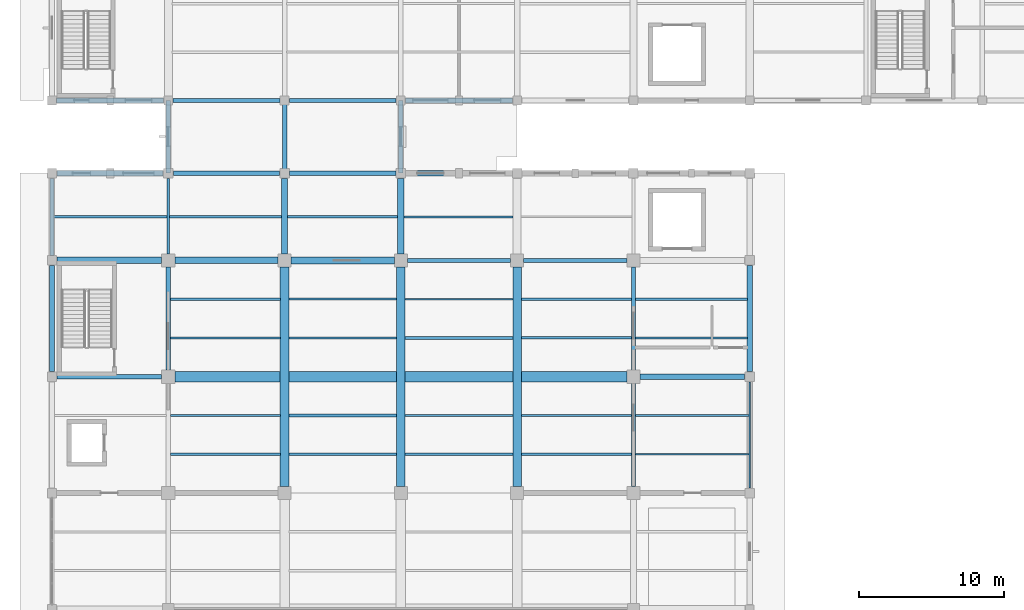
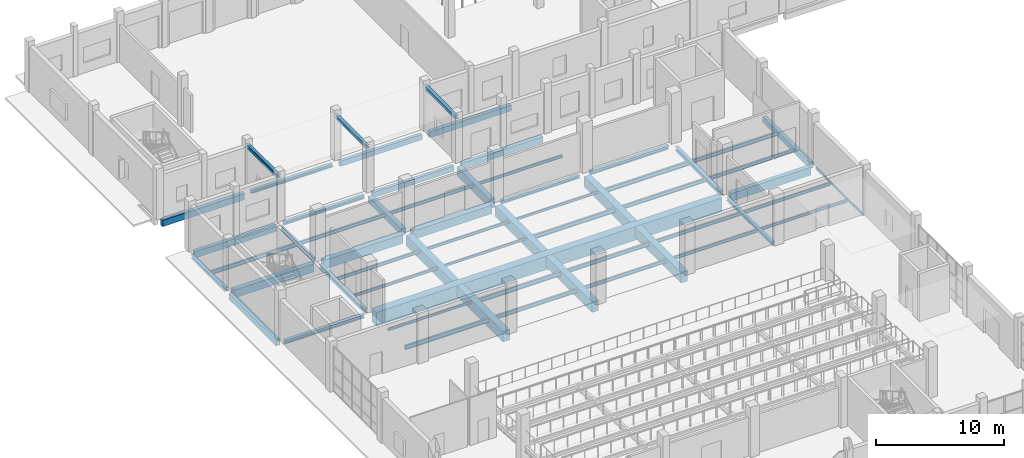
# One storey, part 50 of 156: 56 beams.
"""IFC4 building model written with IfcOpenShell, lengths in metres."""

from ifc_helpers import new_model, si_unit, direction, frame, origin, origin_2d, place, context, subcontext, project, spatial, rectangle, hollow_rectangle, i_section, extrude, material, material_profile, profile_set, type_object, element, save


model = new_model("IFC4")

# Units and contexts
model_context = context("Model", 3, precision=1e-05, world=origin(), true_north=direction((0.0, 1.0)))
body_context = subcontext(model_context, "Body", "Model", "MODEL_VIEW")
ifc_project = project(units=[si_unit("LENGTHUNIT", "METRE"), si_unit("AREAUNIT", "SQUARE_METRE"), si_unit("VOLUMEUNIT", "CUBIC_METRE"), si_unit("PLANEANGLEUNIT", "RADIAN"), si_unit("MASSUNIT", "GRAM", prefix="KILO")], contexts=[model_context])

# Site, building, storey
site_placement = place(None, origin())
site = spatial("IfcSite", under=ifc_project, at=site_placement, CompositionType="ELEMENT")
building_placement = place(site_placement, origin())
building = spatial("IfcBuilding", under=site, at=building_placement, Name="Luwemba Playhouse", CompositionType="ELEMENT")
storey_placement = place(building_placement, origin())
storey = spatial("IfcBuildingStorey", under=building, at=storey_placement, Name="L00", CompositionType="ELEMENT", Elevation=0.0)

# Beams
ifc_material_1 = material(Name="Concrete C40/50", Category="concrete")
ifc_material_profile_1 = material_profile(ifc_material_1, rectangle(XDim=0.39990234375, YDim=0.60009765625, at=origin_2d()))
ifc_profile_set_1 = profile_set([ifc_material_profile_1], Name="Concrete C40/50")
beam_type_1 = type_object("IfcBeamType", Name="BM-RB01", PredefinedType="BEAM", material=ifc_profile_set_1)
beam_1_placement = place(storey_placement, frame((20.0, 84.449951171875, -0.60009765625), z_axis=(0.0, 1.0, 0.0), x_axis=(-1.0, 0.0, 0.0)))
element("IfcBeam", 1, at=beam_1_placement, inside=storey, type_object=beam_type_1, Name="L00 transverse girder 0063", PredefinedType="BEAM", context=body_context, shape_type="SweptSolid", body=[
    extrude(rectangle(XDim=0.39990234375, YDim=0.60009765625, at=origin_2d()), origin(), (0.0, 0.0, 1.0), 5.199951171875),
])
ifc_material_profile_2 = material_profile(ifc_material_1, rectangle(XDim=0.39990234375, YDim=0.75, at=origin_2d()))
ifc_profile_set_2 = profile_set([ifc_material_profile_2], Name="Concrete C40/50")
beam_type_2 = type_object("IfcBeamType", Name="BM-RB03", PredefinedType="BEAM", material=ifc_profile_set_2)
beam_2_placement = place(storey_placement, frame((44.449951171875, 76.0, -0.675048828125), z_axis=(1.0, 0.0, 0.0), x_axis=(0.0, 1.0, 0.0)))
element("IfcBeam", 2, at=beam_2_placement, inside=storey, type_object=beam_type_2, Name="L00 grid girder 0043", PredefinedType="BEAM", context=body_context, shape_type="SweptSolid", body=[
    extrude(rectangle(XDim=0.39990234375, YDim=0.75, at=origin_2d()), origin(), (0.0, 0.0, 1.0), 7.199951171875),
])
ifc_material_profile_3 = material_profile(ifc_material_1, rectangle(XDim=0.449951171875, YDim=0.75, at=origin_2d()))
ifc_profile_set_3 = profile_set([ifc_material_profile_3], Name="Concrete C40/50")
beam_type_3 = type_object("IfcBeamType", Name="BM-RB04", PredefinedType="BEAM", material=ifc_profile_set_3)
beam_3_placement = place(storey_placement, frame((4.35009765625, 84.0, -0.675048828125), z_axis=(1.0, 0.0, 0.0), x_axis=(0.0, 1.0, 0.0)))
element("IfcBeam", 3, at=beam_3_placement, inside=storey, type_object=beam_type_3, Name="L00 grid girder 0044", PredefinedType="BEAM", context=body_context, shape_type="SweptSolid", body=[
    extrude(rectangle(XDim=0.449951171875, YDim=0.75, at=origin_2d()), origin(), (0.0, 0.0, 1.0), 7.199951171875),
])
ifc_material_profile_4 = material_profile(ifc_material_1, rectangle(XDim=0.449951171875, YDim=0.85009765625, at=origin_2d()))
ifc_profile_set_4 = profile_set([ifc_material_profile_4], Name="Concrete C40/50")
beam_type_4 = type_object("IfcBeamType", Name="BM-RB05", PredefinedType="BEAM", material=ifc_profile_set_4)
beam_4_placement = place(storey_placement, frame((12.449951171875, 84.0, -0.72509765625), z_axis=(1.0, 0.0, 0.0), x_axis=(0.0, 1.0, 0.0)))
element("IfcBeam", 4, at=beam_4_placement, inside=storey, type_object=beam_type_4, Name="L00 grid girder 0045", PredefinedType="BEAM", context=body_context, shape_type="SweptSolid", body=[
    extrude(rectangle(XDim=0.449951171875, YDim=0.85009765625, at=origin_2d()), origin(), (0.0, 0.0, 1.0), 7.10009765625),
])
beam_5_placement = place(storey_placement, frame((28.0, 84.449951171875, -0.72509765625), z_axis=(0.0, 1.0, 0.0), x_axis=(-1.0, 0.0, 0.0)))
element("IfcBeam", 5, at=beam_5_placement, inside=storey, type_object=beam_type_4, Name="L00 transverse girder 0065", PredefinedType="BEAM", context=body_context, shape_type="SweptSolid", body=[
    extrude(rectangle(XDim=0.449951171875, YDim=0.85009765625, at=origin_2d()), origin(), (0.0, 0.0, 1.0), 5.199951171875),
])
ifc_material_profile_5 = material_profile(ifc_material_1, rectangle(XDim=0.5, YDim=0.800048828125, at=origin_2d()))
ifc_profile_set_5 = profile_set([ifc_material_profile_5], Name="Concrete C40/50")
beam_type_5 = type_object("IfcBeamType", Name="BM-RB06", PredefinedType="BEAM", material=ifc_profile_set_5)
beam_6_placement = place(storey_placement, frame((20.449951171875, 84.0, -0.699951171875), z_axis=(1.0, 0.0, 0.0), x_axis=(0.0, 1.0, 0.0)))
element("IfcBeam", 6, at=beam_6_placement, inside=storey, type_object=beam_type_5, Name="L00 grid girder 0046", PredefinedType="BEAM", context=body_context, shape_type="SweptSolid", body=[
    extrude(rectangle(XDim=0.5, YDim=0.800048828125, at=origin_2d()), origin(), (0.0, 0.0, 1.0), 7.10009765625),
])
ifc_material_profile_6 = material_profile(ifc_material_1, rectangle(XDim=0.60009765625, YDim=1.0, at=origin_2d()))
ifc_profile_set_6 = profile_set([ifc_material_profile_6], Name="Concrete C40/50")
beam_type_6 = type_object("IfcBeamType", Name="BM-RB09", PredefinedType="BEAM", material=ifc_profile_set_6)
for number, where, z_axis, x_axis, name in (
    (7, (20.0, 68.449951171875, -0.800048828125), (0.0, 1.0, 0.0), (-1.0, 0.0, 0.0), "L00 transverse girder 0062"),
    (8, (28.0, 68.449951171875, -0.800048828125), (0.0, 1.0, 0.0), (-1.0, 0.0, 0.0), "L00 transverse girder 0064"),
    (9, (36.0, 68.449951171875, -0.800048828125), (0.0, 1.0, 0.0), (-1.0, 0.0, 0.0), "L00 transverse girder 0066"),
):
    element("IfcBeam", number, at=place(storey_placement, frame(where, z_axis=z_axis, x_axis=x_axis)), inside=storey, type_object=beam_type_6, Name=name, PredefinedType="BEAM", context=body_context, shape_type="SweptSolid", body=[
        extrude(rectangle(XDim=0.60009765625, YDim=1.0, at=origin_2d()), origin(), (0.0, 0.0, 1.0), 15.10009765625),
    ])
ifc_material_profile_7 = material_profile(ifc_material_1, rectangle(XDim=0.699951171875, YDim=1.300048828125, at=origin_2d()))
ifc_profile_set_7 = profile_set([ifc_material_profile_7], Name="Concrete C40/50")
beam_type_7 = type_object("IfcBeamType", Name="BM-RB12", PredefinedType="BEAM", material=ifc_profile_set_7)
beam_7_placement = place(storey_placement, frame((12.449951171875, 76.0, -0.949951171875), z_axis=(1.0, 0.0, 0.0), x_axis=(0.0, 1.0, 0.0)))
element("IfcBeam", 10, at=beam_7_placement, inside=storey, type_object=beam_type_7, Name="L00 grid girder 0042", PredefinedType="BEAM", context=body_context, shape_type="SweptSolid", body=[
    extrude(rectangle(XDim=0.699951171875, YDim=1.300048828125, at=origin_2d()), origin(), (0.0, 0.0, 1.0), 31.10009765625),
])
ifc_material_2 = material(Name="Steel S355", Category="steel")
ifc_material_profile_8 = material_profile(ifc_material_2, i_section(OverallWidth=0.280029296875, OverallDepth=0.27001953125, WebThickness=0.008056640625, FlangeThickness=0.012939453125, FilletRadius=0.02392578125, at=origin_2d()))
ifc_profile_set_8 = profile_set([ifc_material_profile_8], Name="Steel S355")
beam_type_8 = type_object("IfcBeamType", Name="BM-SB02", PredefinedType="BEAM", material=ifc_profile_set_8)
beam_8_placement = place(storey_placement, frame((44.0, 68.449951171875, -0.43505859375), z_axis=(0.0, 1.0, 0.0), x_axis=(-1.0, 0.0, 0.0)))
element("IfcBeam", 11, at=beam_8_placement, inside=storey, type_object=beam_type_8, Name="L00 transverse girder 0068", PredefinedType="BEAM", context=body_context, shape_type="SweptSolid", body=[
    extrude(i_section(OverallWidth=0.280029296875, OverallDepth=0.27001953125, WebThickness=0.008056640625, FlangeThickness=0.012939453125, FilletRadius=0.02392578125, at=origin_2d()), origin(), (0.0, 0.0, 1.0), 7.10009765625),
])
ifc_material_profile_9 = material_profile(ifc_material_2, i_section(OverallWidth=0.300048828125, OverallDepth=0.2900390625, WebThickness=0.008544921875, FlangeThickness=0.013916015625, FilletRadius=0.027099609375, at=origin_2d()))
ifc_profile_set_9 = profile_set([ifc_material_profile_9], Name="Steel S355")
beam_type_9 = type_object("IfcBeamType", Name="BM-SB03", PredefinedType="BEAM", material=ifc_profile_set_9)
for number, where, z_axis, x_axis, name in (
    (12, (12.0, 90.0, 4.10498046875), (0.0, 1.0, 0.0), (-1.0, 0.0, 0.0), "Scene Dock link roof beam 12"),
    (13, (20.0, 90.0, 4.10498046875), (0.0, 1.0, 0.0), (-1.0, 0.0, 0.0), "Scene Dock link roof beam 20"),
    (14, (28.0, 90.0, 4.10498046875), (0.0, 1.0, 0.0), (-1.0, 0.0, 0.0), "Scene Dock link roof beam 28"),
):
    element("IfcBeam", number, at=place(storey_placement, frame(where, z_axis=z_axis, x_axis=x_axis)), inside=storey, type_object=beam_type_9, Name=name, PredefinedType="BEAM", context=body_context, shape_type="SweptSolid", body=[
        extrude(i_section(OverallWidth=0.300048828125, OverallDepth=0.2900390625, WebThickness=0.008544921875, FlangeThickness=0.013916015625, FilletRadius=0.027099609375, at=origin_2d()), origin(), (0.0, 0.0, 1.0), 5.0),
    ])
beam_9_placement = place(storey_placement, frame((28.449951171875, 84.0, -0.445068359375), z_axis=(1.0, 0.0, 0.0), x_axis=(0.0, 1.0, 0.0)))
element("IfcBeam", 15, at=beam_9_placement, inside=storey, type_object=beam_type_9, Name="L00 grid girder 0047", PredefinedType="BEAM", context=body_context, shape_type="SweptSolid", body=[
    extrude(i_section(OverallWidth=0.300048828125, OverallDepth=0.2900390625, WebThickness=0.008544921875, FlangeThickness=0.013916015625, FilletRadius=0.027099609375, at=origin_2d()), origin(), (0.0, 0.0, 1.0), 7.10009765625),
])
ifc_material_profile_10 = material_profile(ifc_material_2, i_section(OverallWidth=0.300048828125, OverallDepth=0.330078125, WebThickness=0.009521484375, FlangeThickness=0.0166015625, FilletRadius=0.027099609375, at=origin_2d()))
ifc_profile_set_10 = profile_set([ifc_material_profile_10], Name="Steel S355")
beam_type_10 = type_object("IfcBeamType", Name="BM-SB04", PredefinedType="BEAM", material=ifc_profile_set_10)
beam_10_placement = place(storey_placement, frame((4.35009765625, 76.0, -0.465087890625), z_axis=(1.0, 0.0, 0.0), x_axis=(0.0, 1.0, 0.0)))
element("IfcBeam", 16, at=beam_10_placement, inside=storey, type_object=beam_type_10, Name="L00 grid girder 0041", PredefinedType="BEAM", context=body_context, shape_type="SweptSolid", body=[
    extrude(i_section(OverallWidth=0.300048828125, OverallDepth=0.330078125, WebThickness=0.009521484375, FlangeThickness=0.0166015625, FilletRadius=0.027099609375, at=origin_2d()), origin(), (0.0, 0.0, 1.0), 7.199951171875),
])
beam_11_placement = place(storey_placement, frame((36.449951171875, 84.0, -0.465087890625), z_axis=(1.0, 0.0, 0.0), x_axis=(0.0, 1.0, 0.0)))
element("IfcBeam", 17, at=beam_11_placement, inside=storey, type_object=beam_type_10, Name="L00 grid girder 0048", PredefinedType="BEAM", context=body_context, shape_type="SweptSolid", body=[
    extrude(i_section(OverallWidth=0.300048828125, OverallDepth=0.330078125, WebThickness=0.009521484375, FlangeThickness=0.0166015625, FilletRadius=0.027099609375, at=origin_2d()), origin(), (0.0, 0.0, 1.0), 7.10009765625),
])
ifc_material_profile_11 = material_profile(ifc_material_2, i_section(OverallWidth=0.300048828125, OverallDepth=0.389892578125, WebThickness=0.010986328125, FlangeThickness=0.01904296875, FilletRadius=0.027099609375, at=origin_2d()))
ifc_profile_set_11 = profile_set([ifc_material_profile_11], Name="Steel S355")
beam_type_11 = type_object("IfcBeamType", Name="BM-SB05", PredefinedType="BEAM", material=ifc_profile_set_11)
for number, where, z_axis, x_axis, name in (
    (18, (12.0, 76.449951171875, -0.4951171875), (0.0, 1.0, 0.0), (-1.0, 0.0, 0.0), "L00 transverse girder 0060"),
    (19, (44.0, 76.449951171875, -0.4951171875), (0.0, 1.0, 0.0), (-1.0, 0.0, 0.0), "L00 transverse girder 0069"),
):
    element("IfcBeam", number, at=place(storey_placement, frame(where, z_axis=z_axis, x_axis=x_axis)), inside=storey, type_object=beam_type_11, Name=name, PredefinedType="BEAM", context=body_context, shape_type="SweptSolid", body=[
        extrude(i_section(OverallWidth=0.300048828125, OverallDepth=0.389892578125, WebThickness=0.010986328125, FlangeThickness=0.01904296875, FilletRadius=0.027099609375, at=origin_2d()), origin(), (0.0, 0.0, 1.0), 7.10009765625),
    ])
ifc_material_profile_12 = material_profile(ifc_material_2, i_section(OverallWidth=0.18994140625, OverallDepth=0.449951171875, WebThickness=0.009521484375, FlangeThickness=0.0146484375, FilletRadius=0.02099609375, at=origin_2d()))
ifc_profile_set_12 = profile_set([ifc_material_profile_12], Name="Steel S355")
beam_type_12 = type_object("IfcBeamType", Name="BM-SB06", PredefinedType="BEAM", material=ifc_profile_set_12)
beam_12_placement = place(storey_placement, frame((12.0, 84.449951171875, -0.52490234375), z_axis=(0.0, 1.0, 0.0), x_axis=(-1.0, 0.0, 0.0)))
element("IfcBeam", 20, at=beam_12_placement, inside=storey, type_object=beam_type_12, Name="L00 transverse girder 0061", PredefinedType="BEAM", context=body_context, shape_type="SweptSolid", body=[
    extrude(i_section(OverallWidth=0.18994140625, OverallDepth=0.449951171875, WebThickness=0.009521484375, FlangeThickness=0.0146484375, FilletRadius=0.02099609375, at=origin_2d()), origin(), (0.0, 0.0, 1.0), 5.199951171875),
])
ifc_material_profile_13 = material_profile(ifc_material_2, i_section(OverallWidth=0.1201171875, OverallDepth=0.239990234375, WebThickness=0.006103515625, FlangeThickness=0.009765625, FilletRadius=0.014892578125, at=origin_2d()))
ifc_profile_set_13 = profile_set([ifc_material_profile_13], Name="Steel S355")
beam_type_13 = type_object("IfcBeamType", Name="BM-SJ03", PredefinedType="JOIST", material=ifc_profile_set_13)
beam_13_placement = place(storey_placement, frame((12.135986328125, 73.333251953125, -0.419921875), z_axis=(1.0, 0.0, 0.0), x_axis=(0.0, 1.0, 0.0)))
element("IfcBeam", 21, at=beam_13_placement, inside=storey, type_object=beam_type_13, Name="L00 composite floor joist 0047", PredefinedType="JOIST", context=body_context, shape_type="SweptSolid", body=[
    extrude(i_section(OverallWidth=0.1201171875, OverallDepth=0.239990234375, WebThickness=0.006103515625, FlangeThickness=0.009765625, FilletRadius=0.014892578125, at=origin_2d()), origin(), (0.0, 0.0, 1.0), 7.568115234375),
])
for number, where, z_axis, x_axis, name in (
    (22, (20.2958984375, 78.666748046875, -0.419921875), (1.0, 0.0, 0.0), (0.0, 1.0, 0.0), "L00 composite floor joist 0053"),
    (23, (28.2958984375, 81.333251953125, -0.419921875), (1.0, 0.0, 0.0), (0.0, 1.0, 0.0), "L00 composite floor joist 0059"),
):
    element("IfcBeam", number, at=place(storey_placement, frame(where, z_axis=z_axis, x_axis=x_axis)), inside=storey, type_object=beam_type_13, Name=name, PredefinedType="JOIST", context=body_context, shape_type="SweptSolid", body=[
        extrude(i_section(OverallWidth=0.1201171875, OverallDepth=0.239990234375, WebThickness=0.006103515625, FlangeThickness=0.009765625, FilletRadius=0.014892578125, at=origin_2d()), origin(), (0.0, 0.0, 1.0), 7.408203125),
    ])
ifc_material_profile_14 = material_profile(ifc_material_2, i_section(OverallWidth=0.135009765625, OverallDepth=0.27001953125, WebThickness=0.006591796875, FlangeThickness=0.01025390625, FilletRadius=0.014892578125, at=origin_2d()))
ifc_profile_set_14 = profile_set([ifc_material_profile_14], Name="Steel S355")
beam_type_14 = type_object("IfcBeamType", Name="BM-SJ04", PredefinedType="JOIST", material=ifc_profile_set_14)
beam_14_placement = place(storey_placement, frame((12.14599609375, 78.666748046875, -0.43505859375), z_axis=(1.0, 0.0, 0.0), x_axis=(0.0, 1.0, 0.0)))
element("IfcBeam", 24, at=beam_14_placement, inside=storey, type_object=beam_type_14, Name="L00 composite floor joist 0048", PredefinedType="JOIST", context=body_context, shape_type="SweptSolid", body=[
    extrude(i_section(OverallWidth=0.135009765625, OverallDepth=0.27001953125, WebThickness=0.006591796875, FlangeThickness=0.01025390625, FilletRadius=0.014892578125, at=origin_2d()), origin(), (0.0, 0.0, 1.0), 7.55810546875),
])
beam_15_placement = place(storey_placement, frame((20.2958984375, 81.333251953125, -0.43505859375), z_axis=(1.0, 0.0, 0.0), x_axis=(0.0, 1.0, 0.0)))
element("IfcBeam", 25, at=beam_15_placement, inside=storey, type_object=beam_type_14, Name="L00 composite floor joist 0054", PredefinedType="JOIST", context=body_context, shape_type="SweptSolid", body=[
    extrude(i_section(OverallWidth=0.135009765625, OverallDepth=0.27001953125, WebThickness=0.006591796875, FlangeThickness=0.01025390625, FilletRadius=0.014892578125, at=origin_2d()), origin(), (0.0, 0.0, 1.0), 7.408203125),
])
beam_16_placement = place(storey_placement, frame((28.220947265625, 87.0, -0.43505859375), z_axis=(1.0, 0.0, 0.0), x_axis=(0.0, 1.0, 0.0)))
element("IfcBeam", 26, at=beam_16_placement, inside=storey, type_object=beam_type_14, Name="L00 composite floor joist 0060", PredefinedType="JOIST", context=body_context, shape_type="SweptSolid", body=[
    extrude(i_section(OverallWidth=0.135009765625, OverallDepth=0.27001953125, WebThickness=0.006591796875, FlangeThickness=0.01025390625, FilletRadius=0.014892578125, at=origin_2d()), origin(), (0.0, 0.0, 1.0), 7.508056640625),
])
beam_17_placement = place(storey_placement, frame((44.135986328125, 70.666748046875, -0.43505859375), z_axis=(1.0, 0.0, 0.0), x_axis=(0.0, 1.0, 0.0)))
element("IfcBeam", 27, at=beam_17_placement, inside=storey, type_object=beam_type_14, Name="L00 composite floor joist 0066", PredefinedType="JOIST", context=body_context, shape_type="SweptSolid", body=[
    extrude(i_section(OverallWidth=0.135009765625, OverallDepth=0.27001953125, WebThickness=0.006591796875, FlangeThickness=0.01025390625, FilletRadius=0.014892578125, at=origin_2d()), origin(), (0.0, 0.0, 1.0), 7.818115234375),
])
ifc_material_profile_15 = material_profile(ifc_material_2, i_section(OverallWidth=0.14990234375, OverallDepth=0.300048828125, WebThickness=0.007080078125, FlangeThickness=0.0107421875, FilletRadius=0.014892578125, at=origin_2d()))
ifc_profile_set_15 = profile_set([ifc_material_profile_15], Name="Steel S355")
beam_type_15 = type_object("IfcBeamType", Name="BM-SJ05", PredefinedType="JOIST", material=ifc_profile_set_15)
beam_18_placement = place(storey_placement, frame((12.14599609375, 81.333251953125, -0.449951171875), z_axis=(1.0, 0.0, 0.0), x_axis=(0.0, 1.0, 0.0)))
element("IfcBeam", 28, at=beam_18_placement, inside=storey, type_object=beam_type_15, Name="L00 composite floor joist 0049", PredefinedType="JOIST", context=body_context, shape_type="SweptSolid", body=[
    extrude(i_section(OverallWidth=0.14990234375, OverallDepth=0.300048828125, WebThickness=0.007080078125, FlangeThickness=0.0107421875, FilletRadius=0.014892578125, at=origin_2d()), origin(), (0.0, 0.0, 1.0), 7.55810546875),
])
beam_19_placement = place(storey_placement, frame((20.196044921875, 87.0, -0.449951171875), z_axis=(1.0, 0.0, 0.0), x_axis=(0.0, 1.0, 0.0)))
element("IfcBeam", 29, at=beam_19_placement, inside=storey, type_object=beam_type_15, Name="L00 composite floor joist 0055", PredefinedType="JOIST", context=body_context, shape_type="SweptSolid", body=[
    extrude(i_section(OverallWidth=0.14990234375, OverallDepth=0.300048828125, WebThickness=0.007080078125, FlangeThickness=0.0107421875, FilletRadius=0.014892578125, at=origin_2d()), origin(), (0.0, 0.0, 1.0), 7.5830078125),
])
beam_20_placement = place(storey_placement, frame((36.2958984375, 70.666748046875, -0.449951171875), z_axis=(1.0, 0.0, 0.0), x_axis=(0.0, 1.0, 0.0)))
element("IfcBeam", 30, at=beam_20_placement, inside=storey, type_object=beam_type_15, Name="L00 composite floor joist 0061", PredefinedType="JOIST", context=body_context, shape_type="SweptSolid", body=[
    extrude(i_section(OverallWidth=0.14990234375, OverallDepth=0.300048828125, WebThickness=0.007080078125, FlangeThickness=0.0107421875, FilletRadius=0.014892578125, at=origin_2d()), origin(), (0.0, 0.0, 1.0), 7.568115234375),
])
beam_21_placement = place(storey_placement, frame((44.135986328125, 73.333251953125, -0.449951171875), z_axis=(1.0, 0.0, 0.0), x_axis=(0.0, 1.0, 0.0)))
element("IfcBeam", 31, at=beam_21_placement, inside=storey, type_object=beam_type_15, Name="L00 composite floor joist 0067", PredefinedType="JOIST", context=body_context, shape_type="SweptSolid", body=[
    extrude(i_section(OverallWidth=0.14990234375, OverallDepth=0.300048828125, WebThickness=0.007080078125, FlangeThickness=0.0107421875, FilletRadius=0.014892578125, at=origin_2d()), origin(), (0.0, 0.0, 1.0), 7.818115234375),
])
ifc_material_profile_16 = material_profile(ifc_material_2, i_section(OverallWidth=0.159912109375, OverallDepth=0.330078125, WebThickness=0.007568359375, FlangeThickness=0.011474609375, FilletRadius=0.01806640625, at=origin_2d()))
ifc_profile_set_16 = profile_set([ifc_material_profile_16], Name="Steel S355")
beam_type_16 = type_object("IfcBeamType", Name="BM-SJ06", PredefinedType="JOIST", material=ifc_profile_set_16)
beam_22_placement = place(storey_placement, frame((12.091064453125, 87.0, -0.465087890625), z_axis=(1.0, 0.0, 0.0), x_axis=(0.0, 1.0, 0.0)))
element("IfcBeam", 32, at=beam_22_placement, inside=storey, type_object=beam_type_16, Name="L00 composite floor joist 0050", PredefinedType="JOIST", context=body_context, shape_type="SweptSolid", body=[
    extrude(i_section(OverallWidth=0.159912109375, OverallDepth=0.330078125, WebThickness=0.007568359375, FlangeThickness=0.011474609375, FilletRadius=0.01806640625, at=origin_2d()), origin(), (0.0, 0.0, 1.0), 7.712890625),
])
beam_23_placement = place(storey_placement, frame((28.2958984375, 70.666748046875, -0.465087890625), z_axis=(1.0, 0.0, 0.0), x_axis=(0.0, 1.0, 0.0)))
element("IfcBeam", 33, at=beam_23_placement, inside=storey, type_object=beam_type_16, Name="L00 composite floor joist 0056", PredefinedType="JOIST", context=body_context, shape_type="SweptSolid", body=[
    extrude(i_section(OverallWidth=0.159912109375, OverallDepth=0.330078125, WebThickness=0.007568359375, FlangeThickness=0.011474609375, FilletRadius=0.01806640625, at=origin_2d()), origin(), (0.0, 0.0, 1.0), 7.408203125),
])
beam_24_placement = place(storey_placement, frame((36.2958984375, 73.333251953125, -0.465087890625), z_axis=(1.0, 0.0, 0.0), x_axis=(0.0, 1.0, 0.0)))
element("IfcBeam", 34, at=beam_24_placement, inside=storey, type_object=beam_type_16, Name="L00 composite floor joist 0062", PredefinedType="JOIST", context=body_context, shape_type="SweptSolid", body=[
    extrude(i_section(OverallWidth=0.159912109375, OverallDepth=0.330078125, WebThickness=0.007568359375, FlangeThickness=0.011474609375, FilletRadius=0.01806640625, at=origin_2d()), origin(), (0.0, 0.0, 1.0), 7.568115234375),
])
beam_25_placement = place(storey_placement, frame((44.14599609375, 78.666748046875, -0.465087890625), z_axis=(1.0, 0.0, 0.0), x_axis=(0.0, 1.0, 0.0)))
element("IfcBeam", 35, at=beam_25_placement, inside=storey, type_object=beam_type_16, Name="L00 composite floor joist 0068", PredefinedType="JOIST", context=body_context, shape_type="SweptSolid", body=[
    extrude(i_section(OverallWidth=0.159912109375, OverallDepth=0.330078125, WebThickness=0.007568359375, FlangeThickness=0.011474609375, FilletRadius=0.01806640625, at=origin_2d()), origin(), (0.0, 0.0, 1.0), 7.68310546875),
])
ifc_material_profile_17 = material_profile(ifc_material_2, i_section(OverallWidth=0.169921875, OverallDepth=0.360107421875, WebThickness=0.008056640625, FlangeThickness=0.0126953125, FilletRadius=0.01806640625, at=origin_2d()))
ifc_profile_set_17 = profile_set([ifc_material_profile_17], Name="Steel S355")
beam_type_17 = type_object("IfcBeamType", Name="BM-SJ07", PredefinedType="JOIST", material=ifc_profile_set_17)
beam_26_placement = place(storey_placement, frame((4.14599609375, 87.0, -0.47998046875), z_axis=(1.0, 0.0, 0.0), x_axis=(0.0, 1.0, 0.0)))
element("IfcBeam", 36, at=beam_26_placement, inside=storey, type_object=beam_type_17, Name="L00 composite floor joist 0045", PredefinedType="JOIST", context=body_context, shape_type="SweptSolid", body=[
    extrude(i_section(OverallWidth=0.169921875, OverallDepth=0.360107421875, WebThickness=0.008056640625, FlangeThickness=0.0126953125, FilletRadius=0.01806640625, at=origin_2d()), origin(), (0.0, 0.0, 1.0), 7.762939453125),
])
for number, where, z_axis, x_axis, name in (
    (37, (20.2958984375, 70.666748046875, -0.47998046875), (1.0, 0.0, 0.0), (0.0, 1.0, 0.0), "L00 composite floor joist 0051"),
    (38, (28.2958984375, 73.333251953125, -0.47998046875), (1.0, 0.0, 0.0), (0.0, 1.0, 0.0), "L00 composite floor joist 0057"),
):
    element("IfcBeam", number, at=place(storey_placement, frame(where, z_axis=z_axis, x_axis=x_axis)), inside=storey, type_object=beam_type_17, Name=name, PredefinedType="JOIST", context=body_context, shape_type="SweptSolid", body=[
        extrude(i_section(OverallWidth=0.169921875, OverallDepth=0.360107421875, WebThickness=0.008056640625, FlangeThickness=0.0126953125, FilletRadius=0.01806640625, at=origin_2d()), origin(), (0.0, 0.0, 1.0), 7.408203125),
    ])
beam_27_placement = place(storey_placement, frame((36.2958984375, 78.666748046875, -0.47998046875), z_axis=(1.0, 0.0, 0.0), x_axis=(0.0, 1.0, 0.0)))
element("IfcBeam", 39, at=beam_27_placement, inside=storey, type_object=beam_type_17, Name="L00 composite floor joist 0063", PredefinedType="JOIST", context=body_context, shape_type="SweptSolid", body=[
    extrude(i_section(OverallWidth=0.169921875, OverallDepth=0.360107421875, WebThickness=0.008056640625, FlangeThickness=0.0126953125, FilletRadius=0.01806640625, at=origin_2d()), origin(), (0.0, 0.0, 1.0), 7.55810546875),
])
beam_28_placement = place(storey_placement, frame((44.14599609375, 81.333251953125, -0.47998046875), z_axis=(1.0, 0.0, 0.0), x_axis=(0.0, 1.0, 0.0)))
element("IfcBeam", 40, at=beam_28_placement, inside=storey, type_object=beam_type_17, Name="L00 composite floor joist 0069", PredefinedType="JOIST", context=body_context, shape_type="SweptSolid", body=[
    extrude(i_section(OverallWidth=0.169921875, OverallDepth=0.360107421875, WebThickness=0.008056640625, FlangeThickness=0.0126953125, FilletRadius=0.01806640625, at=origin_2d()), origin(), (0.0, 0.0, 1.0), 7.68310546875),
])
ifc_material_profile_18 = material_profile(ifc_material_2, i_section(OverallWidth=0.179931640625, OverallDepth=0.39990234375, WebThickness=0.008544921875, FlangeThickness=0.013427734375, FilletRadius=0.02099609375, at=origin_2d()))
ifc_profile_set_18 = profile_set([ifc_material_profile_18], Name="Steel S355")
beam_type_18 = type_object("IfcBeamType", Name="BM-SJ08", PredefinedType="JOIST", material=ifc_profile_set_18)
beam_29_placement = place(storey_placement, frame((12.135986328125, 70.666748046875, -0.5), z_axis=(1.0, 0.0, 0.0), x_axis=(0.0, 1.0, 0.0)))
element("IfcBeam", 41, at=beam_29_placement, inside=storey, type_object=beam_type_18, Name="L00 composite floor joist 0046", PredefinedType="JOIST", context=body_context, shape_type="SweptSolid", body=[
    extrude(i_section(OverallWidth=0.179931640625, OverallDepth=0.39990234375, WebThickness=0.008544921875, FlangeThickness=0.013427734375, FilletRadius=0.02099609375, at=origin_2d()), origin(), (0.0, 0.0, 1.0), 7.568115234375),
])
for number, where, z_axis, x_axis, name in (
    (42, (20.2958984375, 73.333251953125, -0.5), (1.0, 0.0, 0.0), (0.0, 1.0, 0.0), "L00 composite floor joist 0052"),
    (43, (28.2958984375, 78.666748046875, -0.5), (1.0, 0.0, 0.0), (0.0, 1.0, 0.0), "L00 composite floor joist 0058"),
):
    element("IfcBeam", number, at=place(storey_placement, frame(where, z_axis=z_axis, x_axis=x_axis)), inside=storey, type_object=beam_type_18, Name=name, PredefinedType="JOIST", context=body_context, shape_type="SweptSolid", body=[
        extrude(i_section(OverallWidth=0.179931640625, OverallDepth=0.39990234375, WebThickness=0.008544921875, FlangeThickness=0.013427734375, FilletRadius=0.02099609375, at=origin_2d()), origin(), (0.0, 0.0, 1.0), 7.408203125),
    ])
beam_30_placement = place(storey_placement, frame((36.2958984375, 81.333251953125, -0.5), z_axis=(1.0, 0.0, 0.0), x_axis=(0.0, 1.0, 0.0)))
element("IfcBeam", 44, at=beam_30_placement, inside=storey, type_object=beam_type_18, Name="L00 composite floor joist 0064", PredefinedType="JOIST", context=body_context, shape_type="SweptSolid", body=[
    extrude(i_section(OverallWidth=0.179931640625, OverallDepth=0.39990234375, WebThickness=0.008544921875, FlangeThickness=0.013427734375, FilletRadius=0.02099609375, at=origin_2d()), origin(), (0.0, 0.0, 1.0), 7.55810546875),
])
ifc_material_profile_19 = material_profile(ifc_material_1, rectangle(XDim=0.300048828125, YDim=0.5, at=origin_2d()))
ifc_profile_set_19 = profile_set([ifc_material_profile_19], Name="Concrete C40/50")
beam_type_19 = type_object("IfcBeamType", Name="BM-SP1", PredefinedType="SPANDREL", material=ifc_profile_set_19)
beam_31_placement = place(storey_placement, frame((20.35009765625, 90.0, -0.550048828125), z_axis=(1.0, 0.0, 0.0), x_axis=(0.0, 1.0, 0.0)))
element("IfcBeam", 45, at=beam_31_placement, inside=storey, type_object=beam_type_19, Name="L00 grid girder 0052", PredefinedType="SPANDREL", context=body_context, shape_type="SweptSolid", body=[
    extrude(rectangle(XDim=0.300048828125, YDim=0.5, at=origin_2d()), origin(), (0.0, 0.0, 1.0), 7.2998046875),
])
beam_32_placement = place(storey_placement, frame((20.324951171875, 95.0, -0.590087890625), z_axis=(1.0, 0.0, 0.0), x_axis=(0.0, 1.0, 0.0)))
element("IfcBeam", 46, at=beam_32_placement, inside=storey, type_object=beam_type_19, Name="L00 grid girder 0256", PredefinedType="SPANDREL", context=body_context, shape_type="SweptSolid", body=[
    extrude(rectangle(XDim=0.300048828125, YDim=0.5, at=origin_2d()), origin(), (0.0, 0.0, 1.0), 7.35009765625),
])
ifc_material_profile_20 = material_profile(ifc_material_1, rectangle(XDim=0.35009765625, YDim=0.550048828125, at=origin_2d()))
ifc_profile_set_20 = profile_set([ifc_material_profile_20], Name="Concrete C40/50")
beam_type_20 = type_object("IfcBeamType", Name="BM-SP2", PredefinedType="SPANDREL", material=ifc_profile_set_20)
for number, where, z_axis, x_axis, name in (
    (47, (28.35009765625, 90.0, -0.574951171875), (1.0, 0.0, 0.0), (0.0, 1.0, 0.0), "L00 grid girder 0053"),
    (48, (52.0, 76.35009765625, -0.574951171875), (0.0, 1.0, 0.0), (-1.0, 0.0, 0.0), "L00 transverse girder 0072"),
):
    element("IfcBeam", number, at=place(storey_placement, frame(where, z_axis=z_axis, x_axis=x_axis)), inside=storey, type_object=beam_type_20, Name=name, PredefinedType="SPANDREL", context=body_context, shape_type="SweptSolid", body=[
        extrude(rectangle(XDim=0.35009765625, YDim=0.550048828125, at=origin_2d()), origin(), (0.0, 0.0, 1.0), 7.2998046875),
    ])
beam_33_placement = place(storey_placement, frame((28.324951171875, 95.0, -0.614990234375), z_axis=(1.0, 0.0, 0.0), x_axis=(0.0, 1.0, 0.0)))
element("IfcBeam", 49, at=beam_33_placement, inside=storey, type_object=beam_type_20, Name="L00 grid girder 0257", PredefinedType="SPANDREL", context=body_context, shape_type="SweptSolid", body=[
    extrude(rectangle(XDim=0.35009765625, YDim=0.550048828125, at=origin_2d()), origin(), (0.0, 0.0, 1.0), 7.35009765625),
])
ifc_material_profile_21 = material_profile(ifc_material_1, rectangle(XDim=0.35009765625, YDim=0.60009765625, at=origin_2d()))
ifc_profile_set_21 = profile_set([ifc_material_profile_21], Name="Concrete C40/50")
beam_type_21 = type_object("IfcBeamType", Name="BM-SP3", PredefinedType="SPANDREL", material=ifc_profile_set_21)
for number, where, z_axis, x_axis, name in (
    (50, (4.35009765625, 90.0, -0.60009765625), (1.0, 0.0, 0.0), (0.0, 1.0, 0.0), "L00 grid girder 0050"),
    (51, (4.0, 76.35009765625, -0.60009765625), (0.0, 1.0, 0.0), (-1.0, 0.0, 0.0), "L00 transverse girder 0057"),
):
    element("IfcBeam", number, at=place(storey_placement, frame(where, z_axis=z_axis, x_axis=x_axis)), inside=storey, type_object=beam_type_21, Name=name, PredefinedType="SPANDREL", context=body_context, shape_type="SweptSolid", body=[
        extrude(rectangle(XDim=0.35009765625, YDim=0.60009765625, at=origin_2d()), origin(), (0.0, 0.0, 1.0), 7.2998046875),
    ])
beam_34_placement = place(storey_placement, frame((4.324951171875, 95.0, -0.639892578125), z_axis=(1.0, 0.0, 0.0), x_axis=(0.0, 1.0, 0.0)))
element("IfcBeam", 52, at=beam_34_placement, inside=storey, type_object=beam_type_21, Name="L00 grid girder 0254", PredefinedType="SPANDREL", context=body_context, shape_type="SweptSolid", body=[
    extrude(rectangle(XDim=0.35009765625, YDim=0.60009765625, at=origin_2d()), origin(), (0.0, 0.0, 1.0), 7.35009765625),
])
ifc_material_profile_22 = material_profile(ifc_material_2, i_section(OverallWidth=0.300048828125, OverallDepth=0.300048828125, WebThickness=0.010986328125, FlangeThickness=0.01904296875, FilletRadius=0.027099609375, at=origin_2d()))
ifc_profile_set_22 = profile_set([ifc_material_profile_22], Name="Steel S355")
beam_type_22 = type_object("IfcBeamType", Name="BM-SSP1", PredefinedType="SPANDREL", material=ifc_profile_set_22)
beam_35_placement = place(storey_placement, frame((12.35009765625, 90.0, -0.449951171875), z_axis=(1.0, 0.0, 0.0), x_axis=(0.0, 1.0, 0.0)))
element("IfcBeam", 53, at=beam_35_placement, inside=storey, type_object=beam_type_22, Name="L00 grid girder 0051", PredefinedType="SPANDREL", context=body_context, shape_type="SweptSolid", body=[
    extrude(i_section(OverallWidth=0.300048828125, OverallDepth=0.300048828125, WebThickness=0.010986328125, FlangeThickness=0.01904296875, FilletRadius=0.027099609375, at=origin_2d()), origin(), (0.0, 0.0, 1.0), 7.2998046875),
])
beam_36_placement = place(storey_placement, frame((4.0, 84.35009765625, -0.449951171875), z_axis=(0.0, 1.0, 0.0), x_axis=(-1.0, 0.0, 0.0)))
element("IfcBeam", 54, at=beam_36_placement, inside=storey, type_object=beam_type_22, Name="L00 transverse girder 0058", PredefinedType="SPANDREL", context=body_context, shape_type="SweptSolid", body=[
    extrude(i_section(OverallWidth=0.300048828125, OverallDepth=0.300048828125, WebThickness=0.010986328125, FlangeThickness=0.01904296875, FilletRadius=0.027099609375, at=origin_2d()), origin(), (0.0, 0.0, 1.0), 5.2998046875),
])
beam_37_placement = place(storey_placement, frame((12.324951171875, 95.0, -0.489990234375), z_axis=(1.0, 0.0, 0.0), x_axis=(0.0, 1.0, 0.0)))
element("IfcBeam", 55, at=beam_37_placement, inside=storey, type_object=beam_type_22, Name="L00 grid girder 0255", PredefinedType="SPANDREL", context=body_context, shape_type="SweptSolid", body=[
    extrude(i_section(OverallWidth=0.300048828125, OverallDepth=0.300048828125, WebThickness=0.010986328125, FlangeThickness=0.01904296875, FilletRadius=0.027099609375, at=origin_2d()), origin(), (0.0, 0.0, 1.0), 7.35009765625),
])
ifc_material_profile_23 = material_profile(ifc_material_2, hollow_rectangle(XDim=0.10009765625, YDim=0.199951171875, WallThickness=0.008056640625, InnerFilletRadius=0.011962890625, OuterFilletRadius=0.02001953125, at=origin_2d()))
ifc_profile_set_23 = profile_set([ifc_material_profile_23], Name="Steel S355")
beam_type_23 = type_object("IfcBeamType", Name="BM-SSP2", PredefinedType="SPANDREL", material=ifc_profile_set_23)
beam_38_placement = place(storey_placement, frame((52.0, 68.35009765625, -0.39990234375), z_axis=(0.0, 1.0, 0.0), x_axis=(-1.0, 0.0, 0.0)))
element("IfcBeam", 56, at=beam_38_placement, inside=storey, type_object=beam_type_23, Name="L00 transverse girder 0071", PredefinedType="SPANDREL", context=body_context, shape_type="SweptSolid", body=[
    extrude(hollow_rectangle(XDim=0.10009765625, YDim=0.199951171875, WallThickness=0.008056640625, InnerFilletRadius=0.011962890625, OuterFilletRadius=0.02001953125, at=origin_2d()), origin(), (0.0, 0.0, 1.0), 7.2998046875),
])

save(model, "model.ifc")
